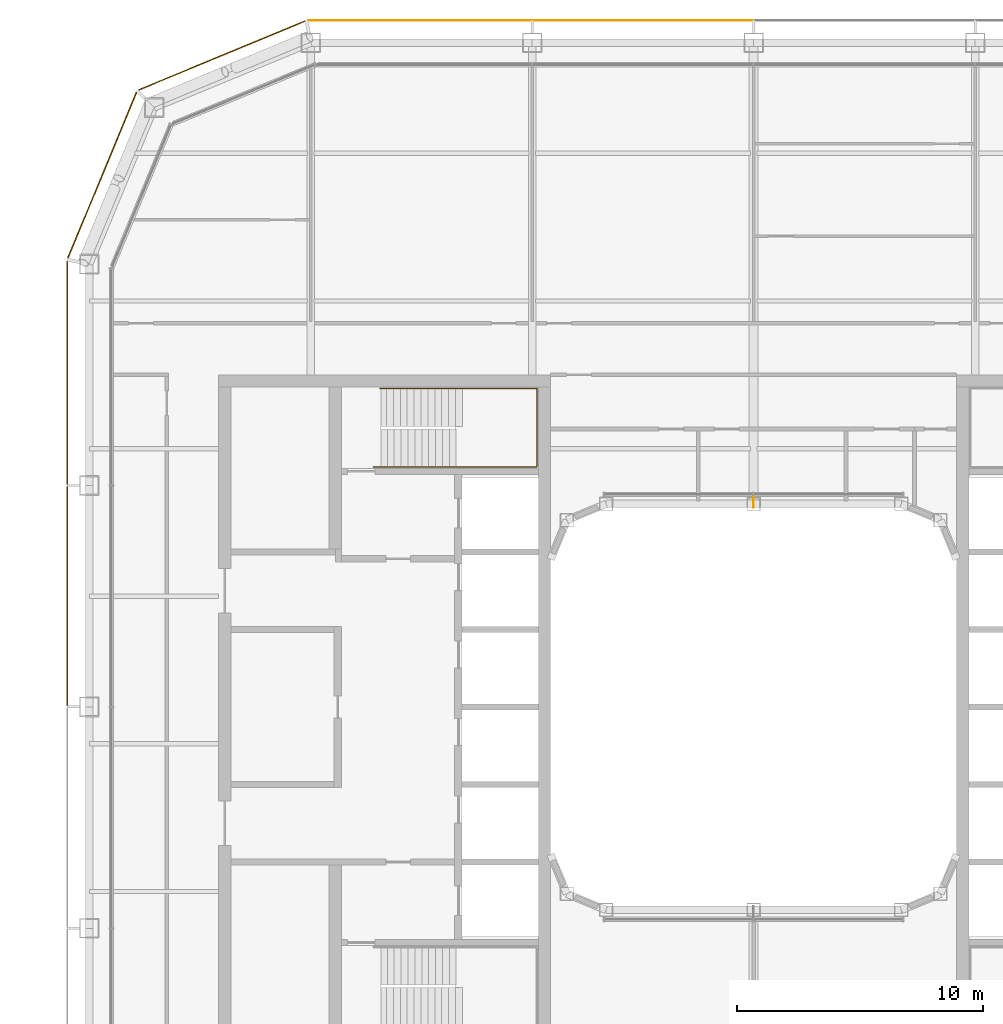
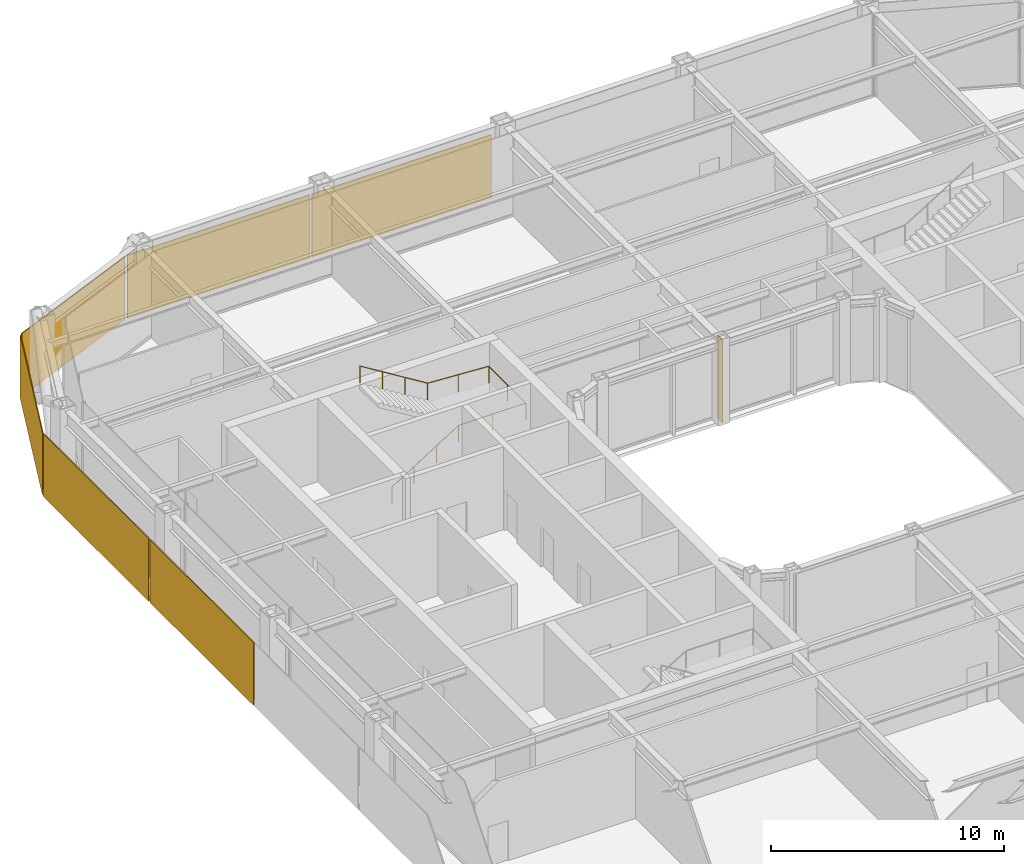
# One storey, part 21 of 23: 6 coverings, 1 railing, 1 shading device.
"""IFC4 building model written with IfcOpenShell, lengths in metres."""

from ifc_helpers import new_model, si_unit, direction, frame, origin, origin_2d, place, context, subcontext, project, spatial, rectangle, circle, extrude, material, layer, layer_set, type_object, element, save


model = new_model("IFC4")

# Units and contexts
model_context = context("Model", 3, precision=1e-05, world=origin(), true_north=direction((0.0, 1.0)))
body_context = subcontext(model_context, "Body", "Model", "MODEL_VIEW")
ifc_project = project(units=[si_unit("LENGTHUNIT", "METRE"), si_unit("AREAUNIT", "SQUARE_METRE"), si_unit("VOLUMEUNIT", "CUBIC_METRE"), si_unit("PLANEANGLEUNIT", "RADIAN"), si_unit("MASSUNIT", "GRAM", prefix="KILO")], contexts=[model_context])

# Site, building, storey
site_placement = place(None, origin())
site = spatial("IfcSite", under=ifc_project, at=site_placement, CompositionType="ELEMENT")
building_placement = place(site_placement, origin())
building = spatial("IfcBuilding", under=site, at=building_placement, Name="Siwar Civic Tower", CompositionType="ELEMENT")
storey_placement = place(building_placement, frame((0.0, 0.0, 269.199951171875)))
storey = spatial("IfcBuildingStorey", under=building, at=storey_placement, Name="L58", CompositionType="ELEMENT", Elevation=269.199951171875)

# Railing
ifc_material_1 = material(Name="Stainless steel", Category="steel")
railing_type = type_object("IfcRailingType", Name="CORE-STAIR-HANDRAIL", PredefinedType="HANDRAIL", material=ifc_material_1)
railing_placement = place(storey_placement, frame((-15.449951171875, 9.758056640625, 0.173095703125)))
element("IfcRailing", 1, at=railing_placement, inside=storey, type_object=railing_type, Name="Stair handrail ST1", PredefinedType="HANDRAIL", context=body_context, shape_type="SweptSolid", body=[
    extrude(circle(Radius=0.02001953125, at=origin_2d()), frame((0.0, 0.0, 0.8798828125), z_axis=(0.847063342986, 0.0, 0.531491950051), x_axis=(0.0, 1.0, 0.0)), (0.0, 0.0, 1.0), 3.90771484375),
    extrude(circle(Radius=0.02001953125, at=origin_2d()), frame((3.31005859375, 0.0, 2.956787109375), z_axis=(1.0, 0.0, 0.0), x_axis=(0.0, 1.0, 0.0)), (0.0, 0.0, 1.0), 3.331787109375),
    extrude(circle(Radius=0.02001953125, at=origin_2d()), frame((6.641845703125, 0.0, 2.956787109375), z_axis=(0.0, 1.0, 0.0), x_axis=(-1.0, 0.0, 0.0)), (0.0, 0.0, 1.0), 3.183837890625),
    extrude(circle(Radius=0.02001953125, at=origin_2d()), frame((6.641845703125, 3.183837890625, 2.956787109375), z_axis=(-0.99837434197, 0.0, 0.056997134106), x_axis=(0.0, -1.0, 0.0)), (0.0, 0.0, 1.0), 3.036865234375),
    extrude(circle(Radius=0.02001953125, at=origin_2d()), frame((3.60986328125, 3.183837890625, 3.1298828125), z_axis=(-0.850606129759, 0.0, 0.525803396734), x_axis=(0.0, -1.0, 0.0)), (0.0, 0.0, 1.0), 3.949951171875),
    extrude(circle(Radius=0.02001953125, at=origin_2d()), origin(), (0.0, 0.0, 1.0), 0.85986328125),
    extrude(circle(Radius=0.02001953125, at=origin_2d()), frame((1.103271484375, 0.0, 0.6923828125)), (0.0, 0.0, 1.0), 0.85986328125),
    extrude(circle(Radius=0.02001953125, at=origin_2d()), frame((2.206787109375, 0.0, 1.384521484375)), (0.0, 0.0, 1.0), 0.85986328125),
    extrude(circle(Radius=0.02001953125, at=origin_2d()), frame((3.31005859375, 0.0, 2.076904296875)), (0.0, 0.0, 1.0), 0.85986328125),
    extrude(circle(Radius=0.02001953125, at=origin_2d()), frame((4.97607421875, 0.0, 2.076904296875)), (0.0, 0.0, 1.0), 0.85986328125),
    extrude(circle(Radius=0.02001953125, at=origin_2d()), frame((6.641845703125, 0.0, 2.076904296875)), (0.0, 0.0, 1.0), 0.85986328125),
    extrude(circle(Radius=0.02001953125, at=origin_2d()), frame((6.641845703125, 1.591796875, 2.076904296875)), (0.0, 0.0, 1.0), 0.85986328125),
    extrude(circle(Radius=0.02001953125, at=origin_2d()), frame((6.641845703125, 3.183837890625, 2.076904296875)), (0.0, 0.0, 1.0), 0.85986328125),
    extrude(circle(Radius=0.02001953125, at=origin_2d()), frame((5.1259765625, 3.183837890625, 2.16357421875)), (0.0, 0.0, 1.0), 0.85986328125),
    extrude(circle(Radius=0.02001953125, at=origin_2d()), frame((3.60986328125, 3.183837890625, 2.25)), (0.0, 0.0, 1.0), 0.85986328125),
    extrude(circle(Radius=0.02001953125, at=origin_2d()), frame((2.489990234375, 3.183837890625, 2.9423828125)), (0.0, 0.0, 1.0), 0.85986328125),
    extrude(circle(Radius=0.02001953125, at=origin_2d()), frame((1.369873046875, 3.183837890625, 3.634521484375)), (0.0, 0.0, 1.0), 0.85986328125),
    extrude(circle(Radius=0.02001953125, at=origin_2d()), frame((0.25, 3.183837890625, 4.326904296875)), (0.0, 0.0, 1.0), 0.85986328125),
])

# Shading device
ifc_material_2 = material(Name="Aluminium 6063-T6", Category="aluminium")
ifc_layer_1 = layer(ifc_material_2, 0.02001953125)
ifc_layer_set_1 = layer_set([ifc_layer_1], Name="Aluminium 6063-T6")
shading_device_type = type_object("IfcShadingDeviceType", Name="ENV-FIN", PredefinedType="JALOUSIE", material=ifc_layer_set_1)
shading_device_placement = place(storey_placement, frame((0.0, 8.320068359375, 0.0), z_axis=(0.0, 0.0, 1.0), x_axis=(-1.0, 0.0, 0.0)))
element("IfcShadingDevice", 2, at=shading_device_placement, inside=storey, type_object=shading_device_type, Name="SUNSHADE fin WN 1", PredefinedType="JALOUSIE", context=body_context, shape_type="SweptSolid", body=[
    extrude(rectangle(XDim=0.02001953125, YDim=0.449951171875, at=origin_2d()), origin(), (0.0, 0.0, 1.0), 4.35009765625),
])

# Coverings
ifc_material_3 = material(Name="Perforated aluminium cassette, pale metal", Category="aluminium")
ifc_layer_2 = layer(ifc_material_3, 0.0400390625)
ifc_layer_set_2 = layer_set([ifc_layer_2], Name="Perforated aluminium cassette, pale metal")
covering_type_1 = type_object("IfcCoveringType", Name="ENV-OUTER SKIN OS-1", PredefinedType="CLADDING", material=ifc_layer_set_2)
covering_1_placement = place(storey_placement, frame((-4.5, 27.89990234375, -0.14990234375), z_axis=(0.0, 0.0, 1.0), x_axis=(-1.0, 0.0, 0.0)))
element("IfcCovering", 3, at=covering_1_placement, inside=storey, type_object=covering_type_1, Name="OUTER SKIN OS-1 N 3", PredefinedType="CLADDING", context=body_context, shape_type="SweptSolid", body=[
    extrude(rectangle(XDim=8.89990234375, YDim=0.0400390625, at=origin_2d()), origin(), (0.0, 0.0, 1.0), 3.300048828125),
])
covering_2_placement = place(storey_placement, frame((-13.57958984375, 27.89990234375, -0.14990234375), z_axis=(0.0, 0.0, 1.0), x_axis=(-1.0, 0.0, 0.0)))
element("IfcCovering", 4, at=covering_2_placement, inside=storey, type_object=covering_type_1, Name="OUTER SKIN OS-1 N 4", PredefinedType="CLADDING", context=body_context, shape_type="SweptSolid", body=[
    extrude(rectangle(XDim=9.05908203125, YDim=0.0400390625, at=origin_2d()), origin(), (0.0, 0.0, 1.0), 3.300048828125),
])
covering_3_placement = place(storey_placement, frame((-21.615966796875, 26.476318359375, -0.14990234375), z_axis=(0.0, 0.0, 1.0), x_axis=(-0.923879532511, -0.382683432365, 0.0)))
element("IfcCovering", 5, at=covering_3_placement, inside=storey, type_object=covering_type_1, Name="OUTER SKIN OS-1 NW1 1", PredefinedType="CLADDING", context=body_context, shape_type="SweptSolid", body=[
    extrude(rectangle(XDim=7.300048828125, YDim=0.0400390625, at=origin_2d()), origin(), (0.0, 0.0, 1.0), 3.300048828125),
])
ifc_material_4 = material(Name="Perforated aluminium cassette, pale metal", Category="aluminium")
ifc_layer_3 = layer(ifc_material_4, 0.044921875)
ifc_layer_set_3 = layer_set([ifc_layer_3], Name="Perforated aluminium cassette, pale metal")
covering_type_2 = type_object("IfcCoveringType", Name="ENV-OUTER SKIN OS-2", PredefinedType="CLADDING", material=ifc_layer_set_3)
covering_4_placement = place(storey_placement, frame((-26.476318359375, 21.615966796875, -0.14990234375), z_axis=(0.0, 0.0, 1.0), x_axis=(-0.382683432365, -0.923879532511, 0.0)))
element("IfcCovering", 6, at=covering_4_placement, inside=storey, type_object=covering_type_2, Name="OUTER SKIN OS-2 NW2 1", PredefinedType="CLADDING", context=body_context, shape_type="SweptSolid", body=[
    extrude(rectangle(XDim=7.300048828125, YDim=0.044921875, at=origin_2d()), origin(), (0.0, 0.0, 1.0), 3.300048828125),
])
ifc_material_5 = material(Name="Perforated aluminium cassette, pale metal", Category="aluminium")
ifc_layer_4 = layer(ifc_material_5, 0.050048828125)
ifc_layer_set_4 = layer_set([ifc_layer_4], Name="Perforated aluminium cassette, pale metal")
covering_type_3 = type_object("IfcCoveringType", Name="ENV-OUTER SKIN OS-3", PredefinedType="CLADDING", material=ifc_layer_set_4)
covering_5_placement = place(storey_placement, frame((-27.89990234375, 13.57958984375, -0.14990234375), z_axis=(0.0, 0.0, 1.0), x_axis=(0.0, -1.0, 0.0)))
element("IfcCovering", 7, at=covering_5_placement, inside=storey, type_object=covering_type_3, Name="OUTER SKIN OS-3 W 1", PredefinedType="CLADDING", context=body_context, shape_type="SweptSolid", body=[
    extrude(rectangle(XDim=9.05908203125, YDim=0.050048828125, at=origin_2d()), origin(), (0.0, 0.0, 1.0), 3.300048828125),
])
covering_6_placement = place(storey_placement, frame((-27.89990234375, 4.5, -0.14990234375), z_axis=(0.0, 0.0, 1.0), x_axis=(0.0, -1.0, 0.0)))
element("IfcCovering", 8, at=covering_6_placement, inside=storey, type_object=covering_type_3, Name="OUTER SKIN OS-3 W 2", PredefinedType="CLADDING", context=body_context, shape_type="SweptSolid", body=[
    extrude(rectangle(XDim=8.89990234375, YDim=0.050048828125, at=origin_2d()), origin(), (0.0, 0.0, 1.0), 3.300048828125),
])

save(model, "model.ifc")
